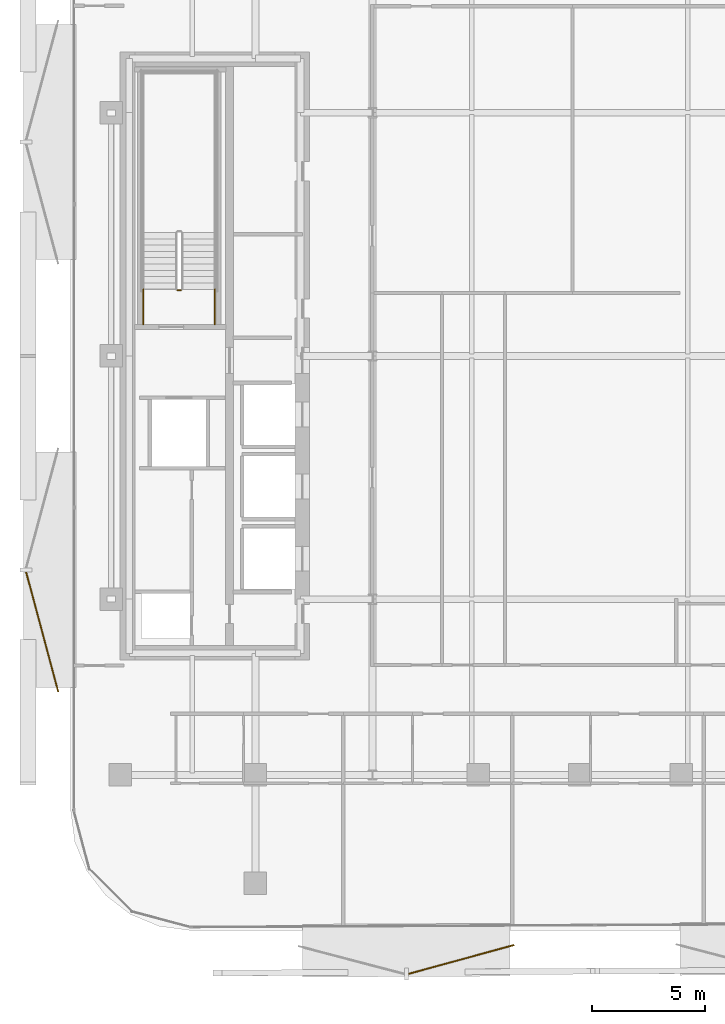
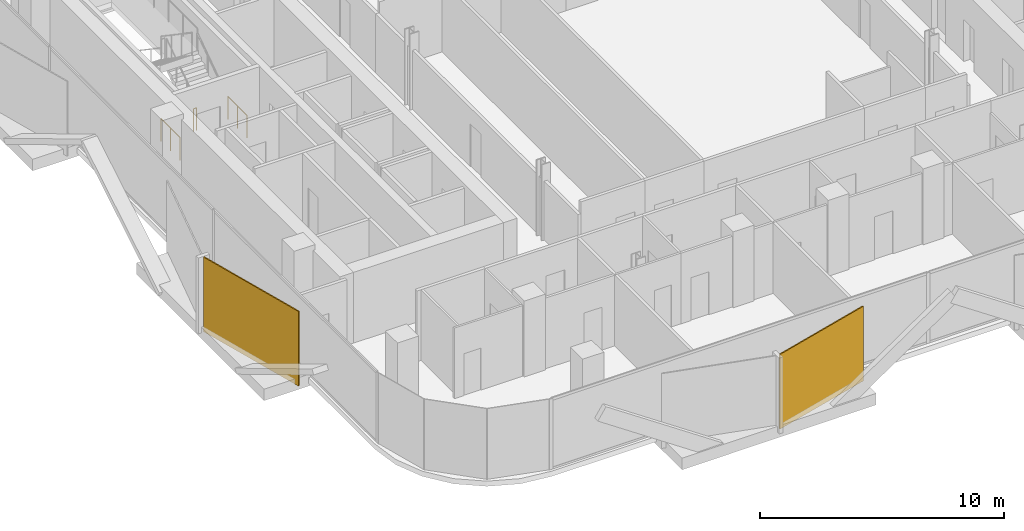
# One storey, part 13 of 17: 3 railings, 2 coverings.
"""IFC4 building model written with IfcOpenShell, lengths in metres."""

from ifc_helpers import new_model, si_unit, direction, frame, origin, origin_2d, place, context, subcontext, project, spatial, rectangle, circle, extrude, material, layer, layer_set, type_object, element, save


model = new_model("IFC4")

# Units and contexts
model_context = context("Model", 3, precision=1e-05, world=origin(), true_north=direction((0.0, 1.0)))
body_context = subcontext(model_context, "Body", "Model", "MODEL_VIEW")
ifc_project = project(units=[si_unit("LENGTHUNIT", "METRE"), si_unit("AREAUNIT", "SQUARE_METRE"), si_unit("VOLUMEUNIT", "CUBIC_METRE"), si_unit("PLANEANGLEUNIT", "RADIAN"), si_unit("MASSUNIT", "GRAM", prefix="KILO")], contexts=[model_context])

# Site, building, storey
site_placement = place(None, origin())
site = spatial("IfcSite", under=ifc_project, at=site_placement, CompositionType="ELEMENT")
building_placement = place(site_placement, origin())
building = spatial("IfcBuilding", under=site, at=building_placement, Name="Khairoan Windgate Tower", CompositionType="ELEMENT")
storey_placement = place(building_placement, frame((0.0, 0.0, 191.60009765625)))
storey = spatial("IfcBuildingStorey", under=building, at=storey_placement, Name="L44", CompositionType="ELEMENT", Elevation=191.60009765625)

# Coverings
ifc_material_1 = material(Name="Anodised Bronze Aluminium 6063-T6", Category="aluminium")
ifc_layer = layer(ifc_material_1, 0.054931640625, Name="Anodised Bronze Aluminium 6063-T6")
ifc_layer_set = layer_set([ifc_layer], Name="Anodised Bronze Aluminium 6063-T6")
covering_type = type_object("IfcCoveringType", Name="Perforated Bronze-Ceramic Folded Solar Screen Cladding BSC-1", PredefinedType="CLADDING", material=ifc_layer_set)
covering_1_placement = place(storey_placement, frame((-5.264404296875, -26.791748046875, -0.10009765625), z_axis=(0.0, 0.0, 1.0), x_axis=(-0.964649468762, -0.263536339841, 0.0)))
element("IfcCovering", 1, at=covering_1_placement, inside=storey, type_object=covering_type, Name="L44 Folded Bronze Solar Screen Facet 290L", PredefinedType="CLADDING", context=body_context, shape_type="SweptSolid", body=[
    extrude(rectangle(XDim=4.861083984375, YDim=0.054931640625, at=origin_2d()), origin(), (0.0, 0.0, 1.0), 3.739990234375),
])
covering_2_placement = place(storey_placement, frame((-23.8671875, -12.2451171875, -0.10009765625), z_axis=(0.0, 0.0, 1.0), x_axis=(-0.258819045103, 0.965925826289, 0.0)))
element("IfcCovering", 2, at=covering_2_placement, inside=storey, type_object=covering_type, Name="L44 Folded Bronze Solar Screen Facet 291L", PredefinedType="CLADDING", context=body_context, shape_type="SweptSolid", body=[
    extrude(rectangle(XDim=5.507080078125, YDim=0.054931640625, at=origin_2d()), origin(), (0.0, 0.0, 1.0), 3.739990234375),
])

# Railings
ifc_material_2 = material(Name="Steel S355", Category="steel")
railing_type = type_object("IfcRailingType", Name="Stairwell Safety Guardrail SGR-1150", PredefinedType="GUARDRAIL", material=ifc_material_2)
railing_placement = place(storey_placement, frame((-17.7099609375, 2.909912109375, 0.0)))
element("IfcRailing", 3, at=railing_placement, inside=storey, type_object=railing_type, Name="L44 ST2 stair guard 7", PredefinedType="GUARDRAIL", context=body_context, shape_type="SweptSolid", body=[
    extrude(circle(Radius=0.02392578125, at=origin_2d()), frame((0.0, 0.0, 1.1259765625), z_axis=(-1.0, 0.0, 0.0), x_axis=(0.0, -1.0, 0.0)), (0.0, 0.0, 1.0), 0.150146484375),
    extrude(circle(Radius=0.02099609375, at=origin_2d()), origin(), (0.0, 0.0, 1.0), 1.101806640625),
    extrude(circle(Radius=0.02099609375, at=origin_2d()), frame((-0.150146484375, 0.0, 0.0)), (0.0, 0.0, 1.0), 1.101806640625),
])
for number, where, name in (
    (4, (-16.199951171875, 1.39990234375, 0.0), "L44 ST2 stair guard 8"),
    (5, (-19.3701171875, 1.39990234375, 0.0), "L44 ST2 stair guard 9"),
):
    element("IfcRailing", number, at=place(storey_placement, frame(where)), inside=storey, type_object=railing_type, Name=name, PredefinedType="GUARDRAIL", context=body_context, shape_type="SweptSolid", body=[
        extrude(circle(Radius=0.02392578125, at=origin_2d()), frame((0.0, 0.0, 1.1259765625), z_axis=(0.0, 1.0, 0.0), x_axis=(-1.0, 0.0, 0.0)), (0.0, 0.0, 1.0), 1.56005859375),
        extrude(circle(Radius=0.02099609375, at=origin_2d()), origin(), (0.0, 0.0, 1.0), 1.101806640625),
        extrude(circle(Radius=0.02099609375, at=origin_2d()), frame((0.0, 0.780029296875, 0.0)), (0.0, 0.0, 1.0), 1.101806640625),
        extrude(circle(Radius=0.02099609375, at=origin_2d()), frame((0.0, 1.56005859375, 0.0)), (0.0, 0.0, 1.0), 1.101806640625),
    ])

save(model, "model.ifc")
